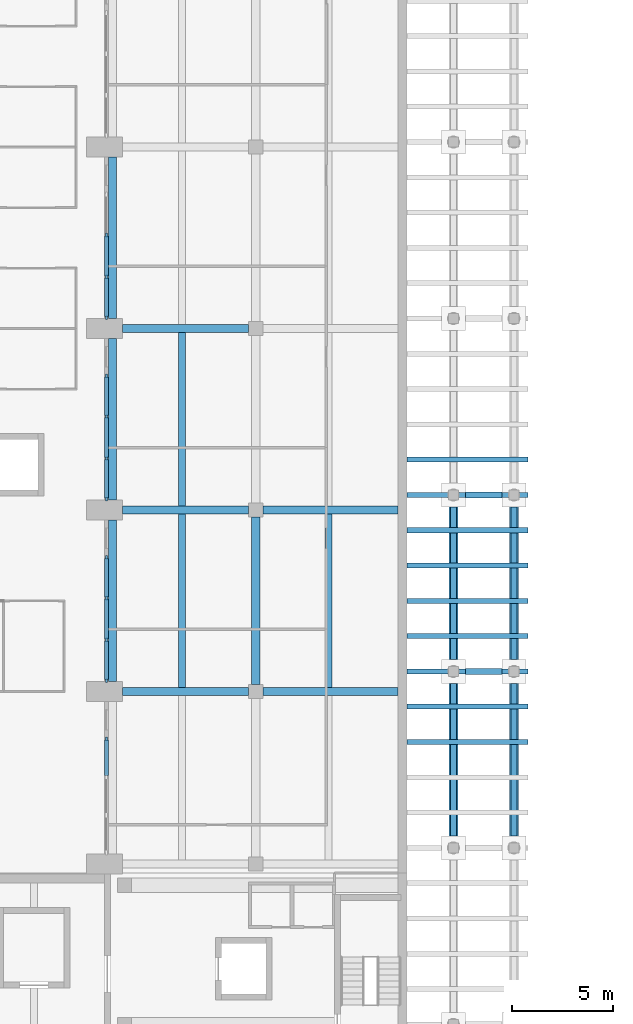
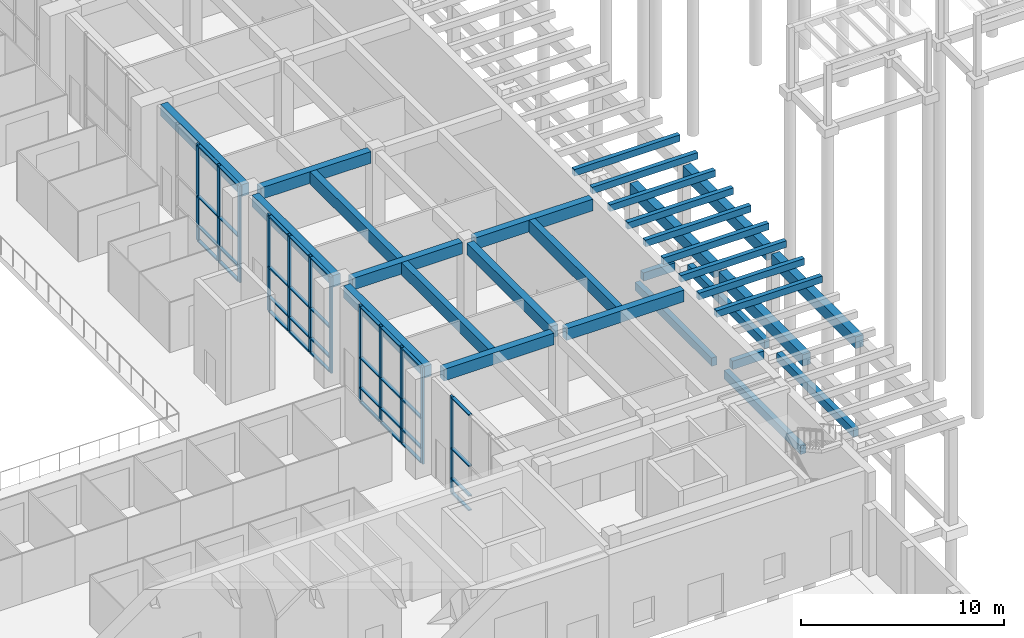
# One storey, part 14 of 51: 48 members, 31 beams, 4 elements without a shape of their own.
"""IFC4 building model written with IfcOpenShell, lengths in metres."""

from ifc_helpers import new_model, si_unit, direction, frame, origin, origin_2d, place, context, subcontext, project, spatial, rectangle, extrude, material, material_profile, profile_set, type_object, element, aggregate, save


model = new_model("IFC4")

# Units and contexts
model_context = context("Model", 3, precision=1e-05, world=origin(), true_north=direction((0.0, 1.0)))
body_context = subcontext(model_context, "Body", "Model", "MODEL_VIEW")
ifc_project = project(units=[si_unit("LENGTHUNIT", "METRE"), si_unit("AREAUNIT", "SQUARE_METRE"), si_unit("VOLUMEUNIT", "CUBIC_METRE"), si_unit("PLANEANGLEUNIT", "RADIAN"), si_unit("MASSUNIT", "GRAM", prefix="KILO")], contexts=[model_context])

# Site, building, storey
site_placement = place(None, origin())
site = spatial("IfcSite", under=ifc_project, at=site_placement, CompositionType="ELEMENT")
building_placement = place(site_placement, origin())
building = spatial("IfcBuilding", under=site, at=building_placement, Name="Elmora Arch Market Hall", CompositionType="ELEMENT")
storey_placement = place(building_placement, origin())
storey = spatial("IfcBuildingStorey", under=building, at=storey_placement, Name="L00", CompositionType="ELEMENT", Elevation=0.0)

# Beams
ifc_material_1 = material(Name="Concrete C32/40", Category="concrete")
ifc_material_profile_1 = material_profile(ifc_material_1, rectangle(XDim=0.25, YDim=0.39990234375, at=origin_2d()), Name="Canopy joist 250x400")
ifc_profile_set_1 = profile_set([ifc_material_profile_1], Name="Concrete C32/40")
beam_type_1 = type_object("IfcBeamType", Name="Canopy joist 250x400", PredefinedType="JOIST", material=ifc_profile_set_1)
for number, where, z_axis, x_axis, name in (
    (1, (58.0, 33.5, 5.64990234375), (1.0, 0.0, 0.0), (0.0, 1.0, 0.0), "Canopy joist PE-J9 L00.1"),
    (2, (58.0, 35.25, 5.64990234375), (1.0, 0.0, 0.0), (0.0, 1.0, 0.0), "Canopy joist PE-J10 L00.1"),
    (3, (58.0, 37.0, 5.64990234375), (1.0, 0.0, 0.0), (0.0, 1.0, 0.0), "Canopy joist PE-J11 L00.1"),
    (4, (58.0, 38.75, 5.64990234375), (1.0, 0.0, 0.0), (0.0, 1.0, 0.0), "Canopy joist PE-J12 L00.1"),
    (5, (58.0, 40.5, 5.64990234375), (1.0, 0.0, 0.0), (0.0, 1.0, 0.0), "Canopy joist PE-J13 L00.1"),
    (6, (58.0, 42.25, 5.64990234375), (1.0, 0.0, 0.0), (0.0, 1.0, 0.0), "Canopy joist PE-J14 L00.1"),
    (7, (58.0, 44.0, 5.64990234375), (1.0, 0.0, 0.0), (0.0, 1.0, 0.0), "Canopy joist PE-J15 L00.1"),
    (8, (58.0, 45.75, 5.64990234375), (1.0, 0.0, 0.0), (0.0, 1.0, 0.0), "Canopy joist PE-J16 L00.1"),
    (9, (58.0, 47.5, 5.64990234375), (1.0, 0.0, 0.0), (0.0, 1.0, 0.0), "Canopy joist PE-J17 L00.1"),
):
    element("IfcBeam", number, at=place(storey_placement, frame(where, z_axis=z_axis, x_axis=x_axis)), inside=storey, type_object=beam_type_1, Name=name, PredefinedType="JOIST", context=body_context, shape_type="SweptSolid", body=[
        extrude(rectangle(XDim=0.25, YDim=0.39990234375, at=origin_2d()), origin(), (0.0, 0.0, 1.0), 6.0),
    ])

# Curtain wall, member
ifc_material_2 = material(Name="Aluminium", Category="aluminium")
curtain_wall_type = type_object("IfcCurtainWallType", Name="Shopfront curtain wall", PredefinedType="NOTDEFINED", material=ifc_material_2)
curtain_wall_1_placement = place(storey_placement, origin())
curtain_wall_1 = element("IfcCurtainWall", 10, at=curtain_wall_1_placement, inside=storey, type_object=curtain_wall_type, Name="Shopfront E 1", PredefinedType="NOTDEFINED")
ifc_material_3 = material(Name="Aluminium", Category="aluminium")
ifc_material_profile_2 = material_profile(ifc_material_3, rectangle(XDim=0.10009765625, YDim=0.219970703125, at=origin_2d()), Name="AL 100x220")
ifc_profile_set_2 = profile_set([ifc_material_profile_2], Name="Aluminium")
member_type_1 = type_object("IfcMemberType", Name="Mullion 100x220", PredefinedType="MULLION", material=ifc_profile_set_2)
member_1_placement = place(storey_placement, frame((43.10009765625, 33.64990234375, 0.0), z_axis=(0.0, 0.0, 1.0), x_axis=(-1.0, 0.0, 0.0)))
member_1 = element("IfcMember", 11, at=member_1_placement, type_object=member_type_1, Name="CW3 mullion 4", PredefinedType="MULLION", context=body_context, shape_type="SweptSolid", body=[
    extrude(rectangle(XDim=0.10009765625, YDim=0.219970703125, at=origin_2d()), origin(), (0.0, 0.0, 1.0), 5.800048828125),
])

# Curtain wall, members
curtain_wall_2_placement = place(storey_placement, origin())
curtain_wall_2 = element("IfcCurtainWall", 12, at=curtain_wall_2_placement, inside=storey, type_object=curtain_wall_type, Name="Shopfront E 2", PredefinedType="NOTDEFINED")
member_2_placement = place(storey_placement, frame((43.10009765625, 36.550048828125, 0.0), z_axis=(0.0, 0.0, 1.0), x_axis=(-1.0, 0.0, 0.0)))
member_2 = element("IfcMember", 13, at=member_2_placement, type_object=member_type_1, Name="CW3 mullion 1", PredefinedType="MULLION", context=body_context, shape_type="SweptSolid", body=[
    extrude(rectangle(XDim=0.10009765625, YDim=0.219970703125, at=origin_2d()), origin(), (0.0, 0.0, 1.0), 5.800048828125),
])
member_3_placement = place(storey_placement, frame((43.10009765625, 38.566650390625, 0.0), z_axis=(0.0, 0.0, 1.0), x_axis=(-1.0, 0.0, 0.0)))
member_3 = element("IfcMember", 14, at=member_3_placement, type_object=member_type_1, Name="CW3 mullion 2", PredefinedType="MULLION", context=body_context, shape_type="SweptSolid", body=[
    extrude(rectangle(XDim=0.10009765625, YDim=0.219970703125, at=origin_2d()), origin(), (0.0, 0.0, 1.0), 5.800048828125),
])
member_4_placement = place(storey_placement, frame((43.10009765625, 40.63330078125, 0.0), z_axis=(0.0, 0.0, 1.0), x_axis=(-1.0, 0.0, 0.0)))
member_4 = element("IfcMember", 15, at=member_4_placement, type_object=member_type_1, Name="CW3 mullion 3", PredefinedType="MULLION", context=body_context, shape_type="SweptSolid", body=[
    extrude(rectangle(XDim=0.10009765625, YDim=0.219970703125, at=origin_2d()), origin(), (0.0, 0.0, 1.0), 5.800048828125),
])
member_5_placement = place(storey_placement, frame((43.10009765625, 42.64990234375, 0.0), z_axis=(0.0, 0.0, 1.0), x_axis=(-1.0, 0.0, 0.0)))
member_5 = element("IfcMember", 16, at=member_5_placement, type_object=member_type_1, Name="CW3 mullion 4", PredefinedType="MULLION", context=body_context, shape_type="SweptSolid", body=[
    extrude(rectangle(XDim=0.10009765625, YDim=0.219970703125, at=origin_2d()), origin(), (0.0, 0.0, 1.0), 5.800048828125),
])

curtain_wall_3_placement = place(storey_placement, origin())
curtain_wall_3 = element("IfcCurtainWall", 17, at=curtain_wall_3_placement, inside=storey, type_object=curtain_wall_type, Name="Shopfront E 3", PredefinedType="NOTDEFINED")
member_6_placement = place(storey_placement, frame((43.10009765625, 45.550048828125, 0.0), z_axis=(0.0, 0.0, 1.0), x_axis=(-1.0, 0.0, 0.0)))
member_6 = element("IfcMember", 18, at=member_6_placement, type_object=member_type_1, Name="CW3 mullion 1", PredefinedType="MULLION", context=body_context, shape_type="SweptSolid", body=[
    extrude(rectangle(XDim=0.10009765625, YDim=0.219970703125, at=origin_2d()), origin(), (0.0, 0.0, 1.0), 5.800048828125),
])
member_7_placement = place(storey_placement, frame((43.10009765625, 47.566650390625, 0.0), z_axis=(0.0, 0.0, 1.0), x_axis=(-1.0, 0.0, 0.0)))
member_7 = element("IfcMember", 19, at=member_7_placement, type_object=member_type_1, Name="CW3 mullion 2", PredefinedType="MULLION", context=body_context, shape_type="SweptSolid", body=[
    extrude(rectangle(XDim=0.10009765625, YDim=0.219970703125, at=origin_2d()), origin(), (0.0, 0.0, 1.0), 5.800048828125),
])
member_8_placement = place(storey_placement, frame((43.10009765625, 49.63330078125, 0.0), z_axis=(0.0, 0.0, 1.0), x_axis=(-1.0, 0.0, 0.0)))
member_8 = element("IfcMember", 20, at=member_8_placement, type_object=member_type_1, Name="CW3 mullion 3", PredefinedType="MULLION", context=body_context, shape_type="SweptSolid", body=[
    extrude(rectangle(XDim=0.10009765625, YDim=0.219970703125, at=origin_2d()), origin(), (0.0, 0.0, 1.0), 5.800048828125),
])
member_9_placement = place(storey_placement, frame((43.10009765625, 51.64990234375, 0.0), z_axis=(0.0, 0.0, 1.0), x_axis=(-1.0, 0.0, 0.0)))
member_9 = element("IfcMember", 21, at=member_9_placement, type_object=member_type_1, Name="CW3 mullion 4", PredefinedType="MULLION", context=body_context, shape_type="SweptSolid", body=[
    extrude(rectangle(XDim=0.10009765625, YDim=0.219970703125, at=origin_2d()), origin(), (0.0, 0.0, 1.0), 5.800048828125),
])

curtain_wall_4_placement = place(storey_placement, origin())
curtain_wall_4 = element("IfcCurtainWall", 22, at=curtain_wall_4_placement, inside=storey, type_object=curtain_wall_type, Name="Shopfront E 4", PredefinedType="NOTDEFINED")
member_10_placement = place(storey_placement, frame((43.10009765625, 54.550048828125, 0.0), z_axis=(0.0, 0.0, 1.0), x_axis=(-1.0, 0.0, 0.0)))
member_10 = element("IfcMember", 23, at=member_10_placement, type_object=member_type_1, Name="CW3 mullion 1", PredefinedType="MULLION", context=body_context, shape_type="SweptSolid", body=[
    extrude(rectangle(XDim=0.10009765625, YDim=0.219970703125, at=origin_2d()), origin(), (0.0, 0.0, 1.0), 5.800048828125),
])
member_11_placement = place(storey_placement, frame((43.10009765625, 56.566650390625, 0.0), z_axis=(0.0, 0.0, 1.0), x_axis=(-1.0, 0.0, 0.0)))
member_11 = element("IfcMember", 24, at=member_11_placement, type_object=member_type_1, Name="CW3 mullion 2", PredefinedType="MULLION", context=body_context, shape_type="SweptSolid", body=[
    extrude(rectangle(XDim=0.10009765625, YDim=0.219970703125, at=origin_2d()), origin(), (0.0, 0.0, 1.0), 5.800048828125),
])
member_12_placement = place(storey_placement, frame((43.10009765625, 58.63330078125, 0.0), z_axis=(0.0, 0.0, 1.0), x_axis=(-1.0, 0.0, 0.0)))
member_12 = element("IfcMember", 25, at=member_12_placement, type_object=member_type_1, Name="CW3 mullion 3", PredefinedType="MULLION", context=body_context, shape_type="SweptSolid", body=[
    extrude(rectangle(XDim=0.10009765625, YDim=0.219970703125, at=origin_2d()), origin(), (0.0, 0.0, 1.0), 5.800048828125),
])

# Beams
ifc_material_4 = material(Name="Concrete C32/40", Category="concrete")
ifc_material_profile_3 = material_profile(ifc_material_4, rectangle(XDim=0.300048828125, YDim=0.5, at=origin_2d()), Name="Pad tie beam 300x500")
ifc_profile_set_3 = profile_set([ifc_material_profile_3], Name="Concrete C32/40")
beam_type_2 = type_object("IfcBeamType", Name="Pad tie beam 300x500", PredefinedType="BEAM", material=ifc_profile_set_3)
for number, where, z_axis, x_axis, name in (
    (26, (60.89990234375, 37.0, -0.550048828125), (1.0, 0.0, 0.0), (0.0, 1.0, 0.0), "Pad tie beam 035"),
    (27, (60.89990234375, 45.75, -0.550048828125), (1.0, 0.0, 0.0), (0.0, 1.0, 0.0), "Pad tie beam 036"),
):
    element("IfcBeam", number, at=place(storey_placement, frame(where, z_axis=z_axis, x_axis=x_axis)), inside=storey, type_object=beam_type_2, Name=name, PredefinedType="BEAM", context=body_context, shape_type="SweptSolid", body=[
        extrude(rectangle(XDim=0.300048828125, YDim=0.5, at=origin_2d()), origin(), (0.0, 0.0, 1.0), 1.800048828125),
    ])
for number, where, z_axis, x_axis, name in (
    (28, (60.300048828125, 28.85009765625, -0.550048828125), (0.0, 1.0, 0.0), (-1.0, 0.0, 0.0), "Pad tie beam 047"),
    (29, (60.300048828125, 37.60009765625, -0.550048828125), (0.0, 1.0, 0.0), (-1.0, 0.0, 0.0), "Pad tie beam 048"),
    (30, (63.300048828125, 28.85009765625, -0.550048828125), (0.0, 1.0, 0.0), (-1.0, 0.0, 0.0), "Pad tie beam 059"),
    (31, (63.300048828125, 37.60009765625, -0.550048828125), (0.0, 1.0, 0.0), (-1.0, 0.0, 0.0), "Pad tie beam 060"),
):
    element("IfcBeam", number, at=place(storey_placement, frame(where, z_axis=z_axis, x_axis=x_axis)), inside=storey, type_object=beam_type_2, Name=name, PredefinedType="BEAM", context=body_context, shape_type="SweptSolid", body=[
        extrude(rectangle(XDim=0.300048828125, YDim=0.5, at=origin_2d()), origin(), (0.0, 0.0, 1.0), 7.5498046875),
    ])
ifc_material_5 = material(Name="Concrete C32/40", Category="concrete")
ifc_material_profile_4 = material_profile(ifc_material_5, rectangle(XDim=0.449951171875, YDim=0.699951171875, at=origin_2d()), Name="Passage girder 450x700")
ifc_profile_set_4 = profile_set([ifc_material_profile_4], Name="Concrete C32/40")
beam_type_3 = type_object("IfcBeamType", Name="Passage girder 450x700", PredefinedType="BEAM", material=ifc_profile_set_4)
for number, where, z_axis, x_axis, name in (
    (32, (60.300048828125, 28.5, 5.10009765625), (0.0, 1.0, 0.0), (-1.0, 0.0, 0.0), "Passage girder PASS-E-G1 L00.2"),
    (33, (60.300048828125, 37.25, 5.10009765625), (0.0, 1.0, 0.0), (-1.0, 0.0, 0.0), "Passage girder PASS-E-G1 L00.3"),
    (34, (63.300048828125, 28.5, 5.10009765625), (0.0, 1.0, 0.0), (-1.0, 0.0, 0.0), "Passage girder PASS-E-G2 L00.2"),
    (35, (63.300048828125, 37.25, 5.10009765625), (0.0, 1.0, 0.0), (-1.0, 0.0, 0.0), "Passage girder PASS-E-G2 L00.3"),
):
    element("IfcBeam", number, at=place(storey_placement, frame(where, z_axis=z_axis, x_axis=x_axis)), inside=storey, type_object=beam_type_3, Name=name, PredefinedType="BEAM", context=body_context, shape_type="SweptSolid", body=[
        extrude(rectangle(XDim=0.449951171875, YDim=0.699951171875, at=origin_2d()), origin(), (0.0, 0.0, 1.0), 8.25),
    ])

# Member
ifc_material_6 = material(Name="Aluminium", Category="aluminium")
ifc_material_profile_5 = material_profile(ifc_material_6, rectangle(XDim=0.179931640625, YDim=0.074951171875, at=origin_2d()), Name="AL 180x75")
ifc_profile_set_5 = profile_set([ifc_material_profile_5], Name="Aluminium")
member_type_2 = type_object("IfcMemberType", Name="Transom 180x75", PredefinedType="USERDEFINED", material=ifc_profile_set_5)
member_13_placement = place(storey_placement, frame((43.10009765625, 31.833251953125, 0.03759765625), z_axis=(0.0, 1.0, 0.0), x_axis=(-1.0, 0.0, 0.0)))
member_13 = element("IfcMember", 36, at=member_13_placement, type_object=member_type_2, Name="CW3 transom 3.1", ObjectType="TRANSOM", PredefinedType="USERDEFINED", context=body_context, shape_type="SweptSolid", body=[
    extrude(rectangle(XDim=0.179931640625, YDim=0.074951171875, at=origin_2d()), origin(), (0.0, 0.0, 1.0), 1.766845703125),
])

member_14_placement = place(storey_placement, frame((43.10009765625, 31.833251953125, 0.89990234375), z_axis=(0.0, 1.0, 0.0), x_axis=(-1.0, 0.0, 0.0)))
member_14 = element("IfcMember", 37, at=member_14_placement, type_object=member_type_2, Name="CW3 transom 3.2", ObjectType="TRANSOM", PredefinedType="USERDEFINED", context=body_context, shape_type="SweptSolid", body=[
    extrude(rectangle(XDim=0.179931640625, YDim=0.074951171875, at=origin_2d()), origin(), (0.0, 0.0, 1.0), 1.766845703125),
])

member_15_placement = place(storey_placement, frame((43.10009765625, 31.833251953125, 2.699951171875), z_axis=(0.0, 1.0, 0.0), x_axis=(-1.0, 0.0, 0.0)))
member_15 = element("IfcMember", 38, at=member_15_placement, type_object=member_type_2, Name="CW3 transom 3.3", ObjectType="TRANSOM", PredefinedType="USERDEFINED", context=body_context, shape_type="SweptSolid", body=[
    extrude(rectangle(XDim=0.179931640625, YDim=0.074951171875, at=origin_2d()), origin(), (0.0, 0.0, 1.0), 1.766845703125),
])

member_16_placement = place(storey_placement, frame((43.10009765625, 31.833251953125, 5.762451171875), z_axis=(0.0, 1.0, 0.0), x_axis=(-1.0, 0.0, 0.0)))
member_16 = element("IfcMember", 39, at=member_16_placement, type_object=member_type_2, Name="CW3 transom 3.4", ObjectType="TRANSOM", PredefinedType="USERDEFINED", context=body_context, shape_type="SweptSolid", body=[
    extrude(rectangle(XDim=0.179931640625, YDim=0.074951171875, at=origin_2d()), origin(), (0.0, 0.0, 1.0), 1.766845703125),
])

aggregate(curtain_wall_1, [member_1, member_13, member_14, member_15, member_16])

member_17_placement = place(storey_placement, frame((43.10009765625, 36.60009765625, 0.03759765625), z_axis=(0.0, 1.0, 0.0), x_axis=(-1.0, 0.0, 0.0)))
member_17 = element("IfcMember", 40, at=member_17_placement, type_object=member_type_2, Name="CW3 transom 1.1", ObjectType="TRANSOM", PredefinedType="USERDEFINED", context=body_context, shape_type="SweptSolid", body=[
    extrude(rectangle(XDim=0.179931640625, YDim=0.074951171875, at=origin_2d()), origin(), (0.0, 0.0, 1.0), 1.91650390625),
])

member_18_placement = place(storey_placement, frame((43.10009765625, 36.60009765625, 0.89990234375), z_axis=(0.0, 1.0, 0.0), x_axis=(-1.0, 0.0, 0.0)))
member_18 = element("IfcMember", 41, at=member_18_placement, type_object=member_type_2, Name="CW3 transom 1.2", ObjectType="TRANSOM", PredefinedType="USERDEFINED", context=body_context, shape_type="SweptSolid", body=[
    extrude(rectangle(XDim=0.179931640625, YDim=0.074951171875, at=origin_2d()), origin(), (0.0, 0.0, 1.0), 1.91650390625),
])

member_19_placement = place(storey_placement, frame((43.10009765625, 36.60009765625, 2.699951171875), z_axis=(0.0, 1.0, 0.0), x_axis=(-1.0, 0.0, 0.0)))
member_19 = element("IfcMember", 42, at=member_19_placement, type_object=member_type_2, Name="CW3 transom 1.3", ObjectType="TRANSOM", PredefinedType="USERDEFINED", context=body_context, shape_type="SweptSolid", body=[
    extrude(rectangle(XDim=0.179931640625, YDim=0.074951171875, at=origin_2d()), origin(), (0.0, 0.0, 1.0), 1.91650390625),
])

member_20_placement = place(storey_placement, frame((43.10009765625, 36.60009765625, 5.762451171875), z_axis=(0.0, 1.0, 0.0), x_axis=(-1.0, 0.0, 0.0)))
member_20 = element("IfcMember", 43, at=member_20_placement, type_object=member_type_2, Name="CW3 transom 1.4", ObjectType="TRANSOM", PredefinedType="USERDEFINED", context=body_context, shape_type="SweptSolid", body=[
    extrude(rectangle(XDim=0.179931640625, YDim=0.074951171875, at=origin_2d()), origin(), (0.0, 0.0, 1.0), 1.91650390625),
])

member_21_placement = place(storey_placement, frame((43.10009765625, 38.61669921875, 0.03759765625), z_axis=(0.0, 1.0, 0.0), x_axis=(-1.0, 0.0, 0.0)))
member_21 = element("IfcMember", 44, at=member_21_placement, type_object=member_type_2, Name="CW3 transom 2.1", ObjectType="TRANSOM", PredefinedType="USERDEFINED", context=body_context, shape_type="SweptSolid", body=[
    extrude(rectangle(XDim=0.179931640625, YDim=0.074951171875, at=origin_2d()), origin(), (0.0, 0.0, 1.0), 1.966552734375),
])

member_22_placement = place(storey_placement, frame((43.10009765625, 38.61669921875, 0.89990234375), z_axis=(0.0, 1.0, 0.0), x_axis=(-1.0, 0.0, 0.0)))
member_22 = element("IfcMember", 45, at=member_22_placement, type_object=member_type_2, Name="CW3 transom 2.2", ObjectType="TRANSOM", PredefinedType="USERDEFINED", context=body_context, shape_type="SweptSolid", body=[
    extrude(rectangle(XDim=0.179931640625, YDim=0.074951171875, at=origin_2d()), origin(), (0.0, 0.0, 1.0), 1.966552734375),
])

member_23_placement = place(storey_placement, frame((43.10009765625, 38.61669921875, 2.699951171875), z_axis=(0.0, 1.0, 0.0), x_axis=(-1.0, 0.0, 0.0)))
member_23 = element("IfcMember", 46, at=member_23_placement, type_object=member_type_2, Name="CW3 transom 2.3", ObjectType="TRANSOM", PredefinedType="USERDEFINED", context=body_context, shape_type="SweptSolid", body=[
    extrude(rectangle(XDim=0.179931640625, YDim=0.074951171875, at=origin_2d()), origin(), (0.0, 0.0, 1.0), 1.966552734375),
])

member_24_placement = place(storey_placement, frame((43.10009765625, 38.61669921875, 5.762451171875), z_axis=(0.0, 1.0, 0.0), x_axis=(-1.0, 0.0, 0.0)))
member_24 = element("IfcMember", 47, at=member_24_placement, type_object=member_type_2, Name="CW3 transom 2.4", ObjectType="TRANSOM", PredefinedType="USERDEFINED", context=body_context, shape_type="SweptSolid", body=[
    extrude(rectangle(XDim=0.179931640625, YDim=0.074951171875, at=origin_2d()), origin(), (0.0, 0.0, 1.0), 1.966552734375),
])

member_25_placement = place(storey_placement, frame((43.10009765625, 40.683349609375, 0.03759765625), z_axis=(0.0, 1.0, 0.0), x_axis=(-1.0, 0.0, 0.0)))
member_25 = element("IfcMember", 48, at=member_25_placement, type_object=member_type_2, Name="CW3 transom 3.1", ObjectType="TRANSOM", PredefinedType="USERDEFINED", context=body_context, shape_type="SweptSolid", body=[
    extrude(rectangle(XDim=0.179931640625, YDim=0.074951171875, at=origin_2d()), origin(), (0.0, 0.0, 1.0), 1.916748046875),
])

member_26_placement = place(storey_placement, frame((43.10009765625, 40.683349609375, 0.89990234375), z_axis=(0.0, 1.0, 0.0), x_axis=(-1.0, 0.0, 0.0)))
member_26 = element("IfcMember", 49, at=member_26_placement, type_object=member_type_2, Name="CW3 transom 3.2", ObjectType="TRANSOM", PredefinedType="USERDEFINED", context=body_context, shape_type="SweptSolid", body=[
    extrude(rectangle(XDim=0.179931640625, YDim=0.074951171875, at=origin_2d()), origin(), (0.0, 0.0, 1.0), 1.916748046875),
])

member_27_placement = place(storey_placement, frame((43.10009765625, 40.683349609375, 2.699951171875), z_axis=(0.0, 1.0, 0.0), x_axis=(-1.0, 0.0, 0.0)))
member_27 = element("IfcMember", 50, at=member_27_placement, type_object=member_type_2, Name="CW3 transom 3.3", ObjectType="TRANSOM", PredefinedType="USERDEFINED", context=body_context, shape_type="SweptSolid", body=[
    extrude(rectangle(XDim=0.179931640625, YDim=0.074951171875, at=origin_2d()), origin(), (0.0, 0.0, 1.0), 1.916748046875),
])

member_28_placement = place(storey_placement, frame((43.10009765625, 40.683349609375, 5.762451171875), z_axis=(0.0, 1.0, 0.0), x_axis=(-1.0, 0.0, 0.0)))
member_28 = element("IfcMember", 51, at=member_28_placement, type_object=member_type_2, Name="CW3 transom 3.4", ObjectType="TRANSOM", PredefinedType="USERDEFINED", context=body_context, shape_type="SweptSolid", body=[
    extrude(rectangle(XDim=0.179931640625, YDim=0.074951171875, at=origin_2d()), origin(), (0.0, 0.0, 1.0), 1.916748046875),
])

aggregate(curtain_wall_2, [member_2, member_3, member_4, member_5, member_17, member_18, member_19, member_20, member_21, member_22, member_23, member_24, member_25, member_26, member_27, member_28])

member_29_placement = place(storey_placement, frame((43.10009765625, 45.60009765625, 0.03759765625), z_axis=(0.0, 1.0, 0.0), x_axis=(-1.0, 0.0, 0.0)))
member_29 = element("IfcMember", 52, at=member_29_placement, type_object=member_type_2, Name="CW3 transom 1.1", ObjectType="TRANSOM", PredefinedType="USERDEFINED", context=body_context, shape_type="SweptSolid", body=[
    extrude(rectangle(XDim=0.179931640625, YDim=0.074951171875, at=origin_2d()), origin(), (0.0, 0.0, 1.0), 1.91650390625),
])

member_30_placement = place(storey_placement, frame((43.10009765625, 45.60009765625, 0.89990234375), z_axis=(0.0, 1.0, 0.0), x_axis=(-1.0, 0.0, 0.0)))
member_30 = element("IfcMember", 53, at=member_30_placement, type_object=member_type_2, Name="CW3 transom 1.2", ObjectType="TRANSOM", PredefinedType="USERDEFINED", context=body_context, shape_type="SweptSolid", body=[
    extrude(rectangle(XDim=0.179931640625, YDim=0.074951171875, at=origin_2d()), origin(), (0.0, 0.0, 1.0), 1.91650390625),
])

member_31_placement = place(storey_placement, frame((43.10009765625, 45.60009765625, 2.699951171875), z_axis=(0.0, 1.0, 0.0), x_axis=(-1.0, 0.0, 0.0)))
member_31 = element("IfcMember", 54, at=member_31_placement, type_object=member_type_2, Name="CW3 transom 1.3", ObjectType="TRANSOM", PredefinedType="USERDEFINED", context=body_context, shape_type="SweptSolid", body=[
    extrude(rectangle(XDim=0.179931640625, YDim=0.074951171875, at=origin_2d()), origin(), (0.0, 0.0, 1.0), 1.91650390625),
])

member_32_placement = place(storey_placement, frame((43.10009765625, 45.60009765625, 5.762451171875), z_axis=(0.0, 1.0, 0.0), x_axis=(-1.0, 0.0, 0.0)))
member_32 = element("IfcMember", 55, at=member_32_placement, type_object=member_type_2, Name="CW3 transom 1.4", ObjectType="TRANSOM", PredefinedType="USERDEFINED", context=body_context, shape_type="SweptSolid", body=[
    extrude(rectangle(XDim=0.179931640625, YDim=0.074951171875, at=origin_2d()), origin(), (0.0, 0.0, 1.0), 1.91650390625),
])

member_33_placement = place(storey_placement, frame((43.10009765625, 47.61669921875, 0.03759765625), z_axis=(0.0, 1.0, 0.0), x_axis=(-1.0, 0.0, 0.0)))
member_33 = element("IfcMember", 56, at=member_33_placement, type_object=member_type_2, Name="CW3 transom 2.1", ObjectType="TRANSOM", PredefinedType="USERDEFINED", context=body_context, shape_type="SweptSolid", body=[
    extrude(rectangle(XDim=0.179931640625, YDim=0.074951171875, at=origin_2d()), origin(), (0.0, 0.0, 1.0), 1.966552734375),
])

member_34_placement = place(storey_placement, frame((43.10009765625, 47.61669921875, 0.89990234375), z_axis=(0.0, 1.0, 0.0), x_axis=(-1.0, 0.0, 0.0)))
member_34 = element("IfcMember", 57, at=member_34_placement, type_object=member_type_2, Name="CW3 transom 2.2", ObjectType="TRANSOM", PredefinedType="USERDEFINED", context=body_context, shape_type="SweptSolid", body=[
    extrude(rectangle(XDim=0.179931640625, YDim=0.074951171875, at=origin_2d()), origin(), (0.0, 0.0, 1.0), 1.966552734375),
])

member_35_placement = place(storey_placement, frame((43.10009765625, 47.61669921875, 2.699951171875), z_axis=(0.0, 1.0, 0.0), x_axis=(-1.0, 0.0, 0.0)))
member_35 = element("IfcMember", 58, at=member_35_placement, type_object=member_type_2, Name="CW3 transom 2.3", ObjectType="TRANSOM", PredefinedType="USERDEFINED", context=body_context, shape_type="SweptSolid", body=[
    extrude(rectangle(XDim=0.179931640625, YDim=0.074951171875, at=origin_2d()), origin(), (0.0, 0.0, 1.0), 1.966552734375),
])

member_36_placement = place(storey_placement, frame((43.10009765625, 47.61669921875, 5.762451171875), z_axis=(0.0, 1.0, 0.0), x_axis=(-1.0, 0.0, 0.0)))
member_36 = element("IfcMember", 59, at=member_36_placement, type_object=member_type_2, Name="CW3 transom 2.4", ObjectType="TRANSOM", PredefinedType="USERDEFINED", context=body_context, shape_type="SweptSolid", body=[
    extrude(rectangle(XDim=0.179931640625, YDim=0.074951171875, at=origin_2d()), origin(), (0.0, 0.0, 1.0), 1.966552734375),
])

member_37_placement = place(storey_placement, frame((43.10009765625, 49.683349609375, 0.03759765625), z_axis=(0.0, 1.0, 0.0), x_axis=(-1.0, 0.0, 0.0)))
member_37 = element("IfcMember", 60, at=member_37_placement, type_object=member_type_2, Name="CW3 transom 3.1", ObjectType="TRANSOM", PredefinedType="USERDEFINED", context=body_context, shape_type="SweptSolid", body=[
    extrude(rectangle(XDim=0.179931640625, YDim=0.074951171875, at=origin_2d()), origin(), (0.0, 0.0, 1.0), 1.916748046875),
])

member_38_placement = place(storey_placement, frame((43.10009765625, 49.683349609375, 0.89990234375), z_axis=(0.0, 1.0, 0.0), x_axis=(-1.0, 0.0, 0.0)))
member_38 = element("IfcMember", 61, at=member_38_placement, type_object=member_type_2, Name="CW3 transom 3.2", ObjectType="TRANSOM", PredefinedType="USERDEFINED", context=body_context, shape_type="SweptSolid", body=[
    extrude(rectangle(XDim=0.179931640625, YDim=0.074951171875, at=origin_2d()), origin(), (0.0, 0.0, 1.0), 1.916748046875),
])

member_39_placement = place(storey_placement, frame((43.10009765625, 49.683349609375, 2.699951171875), z_axis=(0.0, 1.0, 0.0), x_axis=(-1.0, 0.0, 0.0)))
member_39 = element("IfcMember", 62, at=member_39_placement, type_object=member_type_2, Name="CW3 transom 3.3", ObjectType="TRANSOM", PredefinedType="USERDEFINED", context=body_context, shape_type="SweptSolid", body=[
    extrude(rectangle(XDim=0.179931640625, YDim=0.074951171875, at=origin_2d()), origin(), (0.0, 0.0, 1.0), 1.916748046875),
])

member_40_placement = place(storey_placement, frame((43.10009765625, 49.683349609375, 5.762451171875), z_axis=(0.0, 1.0, 0.0), x_axis=(-1.0, 0.0, 0.0)))
member_40 = element("IfcMember", 63, at=member_40_placement, type_object=member_type_2, Name="CW3 transom 3.4", ObjectType="TRANSOM", PredefinedType="USERDEFINED", context=body_context, shape_type="SweptSolid", body=[
    extrude(rectangle(XDim=0.179931640625, YDim=0.074951171875, at=origin_2d()), origin(), (0.0, 0.0, 1.0), 1.916748046875),
])

aggregate(curtain_wall_3, [member_6, member_7, member_8, member_9, member_29, member_30, member_31, member_32, member_33, member_34, member_35, member_36, member_37, member_38, member_39, member_40])

member_41_placement = place(storey_placement, frame((43.10009765625, 54.60009765625, 0.03759765625), z_axis=(0.0, 1.0, 0.0), x_axis=(-1.0, 0.0, 0.0)))
member_41 = element("IfcMember", 64, at=member_41_placement, type_object=member_type_2, Name="CW3 transom 1.1", ObjectType="TRANSOM", PredefinedType="USERDEFINED", context=body_context, shape_type="SweptSolid", body=[
    extrude(rectangle(XDim=0.179931640625, YDim=0.074951171875, at=origin_2d()), origin(), (0.0, 0.0, 1.0), 1.91650390625),
])

member_42_placement = place(storey_placement, frame((43.10009765625, 54.60009765625, 0.89990234375), z_axis=(0.0, 1.0, 0.0), x_axis=(-1.0, 0.0, 0.0)))
member_42 = element("IfcMember", 65, at=member_42_placement, type_object=member_type_2, Name="CW3 transom 1.2", ObjectType="TRANSOM", PredefinedType="USERDEFINED", context=body_context, shape_type="SweptSolid", body=[
    extrude(rectangle(XDim=0.179931640625, YDim=0.074951171875, at=origin_2d()), origin(), (0.0, 0.0, 1.0), 1.91650390625),
])

member_43_placement = place(storey_placement, frame((43.10009765625, 54.60009765625, 2.699951171875), z_axis=(0.0, 1.0, 0.0), x_axis=(-1.0, 0.0, 0.0)))
member_43 = element("IfcMember", 66, at=member_43_placement, type_object=member_type_2, Name="CW3 transom 1.3", ObjectType="TRANSOM", PredefinedType="USERDEFINED", context=body_context, shape_type="SweptSolid", body=[
    extrude(rectangle(XDim=0.179931640625, YDim=0.074951171875, at=origin_2d()), origin(), (0.0, 0.0, 1.0), 1.91650390625),
])

member_44_placement = place(storey_placement, frame((43.10009765625, 54.60009765625, 5.762451171875), z_axis=(0.0, 1.0, 0.0), x_axis=(-1.0, 0.0, 0.0)))
member_44 = element("IfcMember", 67, at=member_44_placement, type_object=member_type_2, Name="CW3 transom 1.4", ObjectType="TRANSOM", PredefinedType="USERDEFINED", context=body_context, shape_type="SweptSolid", body=[
    extrude(rectangle(XDim=0.179931640625, YDim=0.074951171875, at=origin_2d()), origin(), (0.0, 0.0, 1.0), 1.91650390625),
])

member_45_placement = place(storey_placement, frame((43.10009765625, 56.61669921875, 0.03759765625), z_axis=(0.0, 1.0, 0.0), x_axis=(-1.0, 0.0, 0.0)))
member_45 = element("IfcMember", 68, at=member_45_placement, type_object=member_type_2, Name="CW3 transom 2.1", ObjectType="TRANSOM", PredefinedType="USERDEFINED", context=body_context, shape_type="SweptSolid", body=[
    extrude(rectangle(XDim=0.179931640625, YDim=0.074951171875, at=origin_2d()), origin(), (0.0, 0.0, 1.0), 1.966552734375),
])

member_46_placement = place(storey_placement, frame((43.10009765625, 56.61669921875, 0.89990234375), z_axis=(0.0, 1.0, 0.0), x_axis=(-1.0, 0.0, 0.0)))
member_46 = element("IfcMember", 69, at=member_46_placement, type_object=member_type_2, Name="CW3 transom 2.2", ObjectType="TRANSOM", PredefinedType="USERDEFINED", context=body_context, shape_type="SweptSolid", body=[
    extrude(rectangle(XDim=0.179931640625, YDim=0.074951171875, at=origin_2d()), origin(), (0.0, 0.0, 1.0), 1.966552734375),
])

member_47_placement = place(storey_placement, frame((43.10009765625, 56.61669921875, 2.699951171875), z_axis=(0.0, 1.0, 0.0), x_axis=(-1.0, 0.0, 0.0)))
member_47 = element("IfcMember", 70, at=member_47_placement, type_object=member_type_2, Name="CW3 transom 2.3", ObjectType="TRANSOM", PredefinedType="USERDEFINED", context=body_context, shape_type="SweptSolid", body=[
    extrude(rectangle(XDim=0.179931640625, YDim=0.074951171875, at=origin_2d()), origin(), (0.0, 0.0, 1.0), 1.966552734375),
])

member_48_placement = place(storey_placement, frame((43.10009765625, 56.61669921875, 5.762451171875), z_axis=(0.0, 1.0, 0.0), x_axis=(-1.0, 0.0, 0.0)))
member_48 = element("IfcMember", 71, at=member_48_placement, type_object=member_type_2, Name="CW3 transom 2.4", ObjectType="TRANSOM", PredefinedType="USERDEFINED", context=body_context, shape_type="SweptSolid", body=[
    extrude(rectangle(XDim=0.179931640625, YDim=0.074951171875, at=origin_2d()), origin(), (0.0, 0.0, 1.0), 1.966552734375),
])

aggregate(curtain_wall_4, [member_10, member_11, member_12, member_41, member_42, member_43, member_44, member_45, member_46, member_47, member_48])

# Beams
ifc_material_7 = material(Name="Concrete C32/40", Category="concrete")
ifc_material_profile_6 = material_profile(ifc_material_7, rectangle(XDim=0.39990234375, YDim=0.699951171875, at=origin_2d()), Name="Wing beam 400x700")
ifc_profile_set_6 = profile_set([ifc_material_profile_6], Name="Concrete C32/40")
beam_type_4 = type_object("IfcBeamType", Name="Wing beam 400x700", PredefinedType="BEAM", material=ifc_profile_set_6)
beam_1_placement = place(storey_placement, frame((43.89990234375, 36.0, 5.449951171875), z_axis=(1.0, 0.0, 0.0), x_axis=(0.0, 1.0, 0.0)))
element("IfcBeam", 72, at=beam_1_placement, inside=storey, type_object=beam_type_4, Name="Wing beam ER2 L00.1", PredefinedType="BEAM", context=body_context, shape_type="SweptSolid", body=[
    extrude(rectangle(XDim=0.39990234375, YDim=0.699951171875, at=origin_2d()), origin(), (0.0, 0.0, 1.0), 6.25),
])
beam_2_placement = place(storey_placement, frame((50.85009765625, 36.0, 5.449951171875), z_axis=(1.0, 0.0, 0.0), x_axis=(0.0, 1.0, 0.0)))
element("IfcBeam", 73, at=beam_2_placement, inside=storey, type_object=beam_type_4, Name="Wing beam ER2 L00.2", PredefinedType="BEAM", context=body_context, shape_type="SweptSolid", body=[
    extrude(rectangle(XDim=0.39990234375, YDim=0.699951171875, at=origin_2d()), origin(), (0.0, 0.0, 1.0), 6.699951171875),
])
beam_3_placement = place(storey_placement, frame((43.89990234375, 45.0, 5.449951171875), z_axis=(1.0, 0.0, 0.0), x_axis=(0.0, 1.0, 0.0)))
element("IfcBeam", 74, at=beam_3_placement, inside=storey, type_object=beam_type_4, Name="Wing beam ER3 L00.1", PredefinedType="BEAM", context=body_context, shape_type="SweptSolid", body=[
    extrude(rectangle(XDim=0.39990234375, YDim=0.699951171875, at=origin_2d()), origin(), (0.0, 0.0, 1.0), 6.25),
])
beam_4_placement = place(storey_placement, frame((50.85009765625, 45.0, 5.449951171875), z_axis=(1.0, 0.0, 0.0), x_axis=(0.0, 1.0, 0.0)))
element("IfcBeam", 75, at=beam_4_placement, inside=storey, type_object=beam_type_4, Name="Wing beam ER3 L00.2", PredefinedType="BEAM", context=body_context, shape_type="SweptSolid", body=[
    extrude(rectangle(XDim=0.39990234375, YDim=0.699951171875, at=origin_2d()), origin(), (0.0, 0.0, 1.0), 6.699951171875),
])
beam_5_placement = place(storey_placement, frame((43.89990234375, 54.0, 5.449951171875), z_axis=(1.0, 0.0, 0.0), x_axis=(0.0, 1.0, 0.0)))
element("IfcBeam", 76, at=beam_5_placement, inside=storey, type_object=beam_type_4, Name="Wing beam ER4 L00.1", PredefinedType="BEAM", context=body_context, shape_type="SweptSolid", body=[
    extrude(rectangle(XDim=0.39990234375, YDim=0.699951171875, at=origin_2d()), origin(), (0.0, 0.0, 1.0), 6.25),
])
beam_6_placement = place(storey_placement, frame((50.5, 36.35009765625, 5.449951171875), z_axis=(0.0, 1.0, 0.0), x_axis=(-1.0, 0.0, 0.0)))
element("IfcBeam", 77, at=beam_6_placement, inside=storey, type_object=beam_type_4, Name="Wing beam EG L00.2", PredefinedType="BEAM", context=body_context, shape_type="SweptSolid", body=[
    extrude(rectangle(XDim=0.39990234375, YDim=0.699951171875, at=origin_2d()), origin(), (0.0, 0.0, 1.0), 8.2998046875),
])
for number, where, z_axis, x_axis, name in (
    (78, (43.39990234375, 36.5, 5.449951171875), (0.0, 1.0, 0.0), (-1.0, 0.0, 0.0), "Wing beam EEB L00.2"),
    (79, (43.39990234375, 45.5, 5.449951171875), (0.0, 1.0, 0.0), (-1.0, 0.0, 0.0), "Wing beam EEB L00.3"),
    (80, (43.39990234375, 54.5, 5.449951171875), (0.0, 1.0, 0.0), (-1.0, 0.0, 0.0), "Wing beam EEB L00.4"),
):
    element("IfcBeam", number, at=place(storey_placement, frame(where, z_axis=z_axis, x_axis=x_axis)), inside=storey, type_object=beam_type_4, Name=name, PredefinedType="BEAM", context=body_context, shape_type="SweptSolid", body=[
        extrude(rectangle(XDim=0.39990234375, YDim=0.699951171875, at=origin_2d()), origin(), (0.0, 0.0, 1.0), 8.0),
    ])
ifc_material_8 = material(Name="Concrete C32/40", Category="concrete")
ifc_material_profile_7 = material_profile(ifc_material_8, rectangle(XDim=0.35009765625, YDim=0.75, at=origin_2d()), Name="Wing joist 350x750")
ifc_profile_set_7 = profile_set([ifc_material_profile_7], Name="Concrete C32/40")
beam_type_5 = type_object("IfcBeamType", Name="Wing joist 350x750", PredefinedType="JOIST", material=ifc_profile_set_7)
for number, where, z_axis, x_axis, name in (
    (81, (46.85009765625, 36.199951171875, 5.425048828125), (0.0, 1.0, 0.0), (-1.0, 0.0, 0.0), "Wing joist EJ1 L00.2"),
    (82, (46.85009765625, 45.199951171875, 5.425048828125), (0.0, 1.0, 0.0), (-1.0, 0.0, 0.0), "Wing joist EJ1 L00.3"),
    (83, (54.10009765625, 36.199951171875, 5.425048828125), (0.0, 1.0, 0.0), (-1.0, 0.0, 0.0), "Wing joist EJ2 L00.2"),
):
    element("IfcBeam", number, at=place(storey_placement, frame(where, z_axis=z_axis, x_axis=x_axis)), inside=storey, type_object=beam_type_5, Name=name, PredefinedType="JOIST", context=body_context, shape_type="SweptSolid", body=[
        extrude(rectangle(XDim=0.35009765625, YDim=0.75, at=origin_2d()), origin(), (0.0, 0.0, 1.0), 8.60009765625),
    ])

save(model, "model.ifc")
